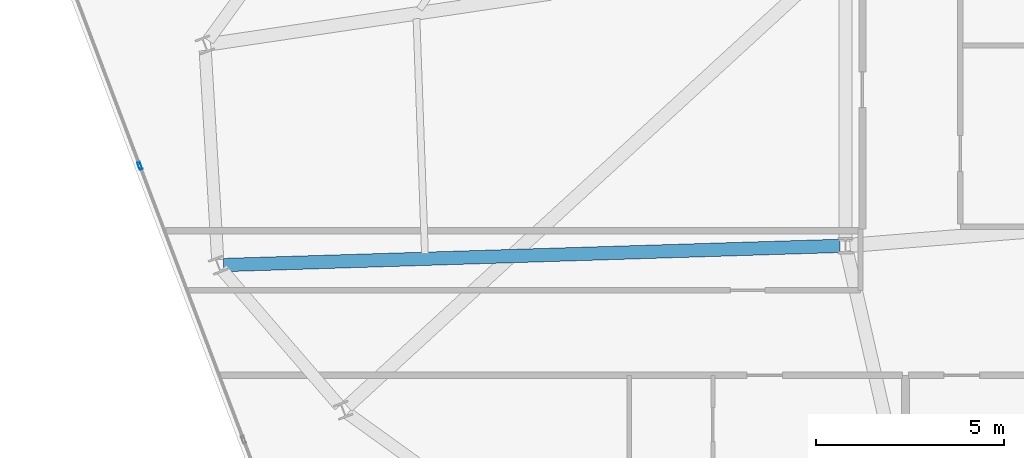
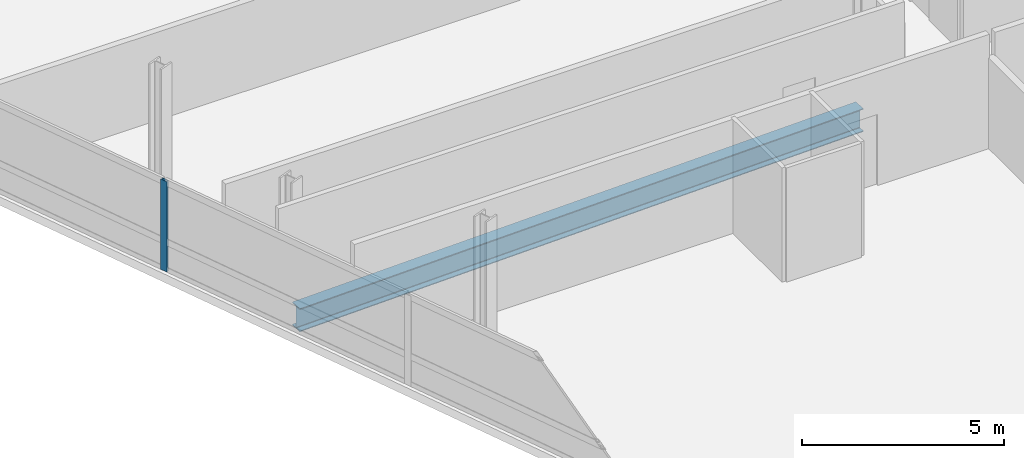
# One storey, part 6 of 19: 1 beam, 1 member, 1 element without a shape of its own.
"""IFC4 building model written with IfcOpenShell, lengths in metres."""

from ifc_helpers import new_model, si_unit, direction, frame, origin, origin_2d, place, context, subcontext, project, spatial, hollow_rectangle, i_section, extrude, material, layer, layer_set, material_profile, profile_set, type_object, element, aggregate, save


model = new_model("IFC4")

# Units and contexts
model_context = context("Model", 3, precision=1e-05, world=origin(), true_north=direction((0.0, 1.0)))
body_context = subcontext(model_context, "Body", "Model", "MODEL_VIEW")
ifc_project = project(units=[si_unit("LENGTHUNIT", "METRE"), si_unit("AREAUNIT", "SQUARE_METRE"), si_unit("VOLUMEUNIT", "CUBIC_METRE"), si_unit("PLANEANGLEUNIT", "RADIAN"), si_unit("MASSUNIT", "GRAM", prefix="KILO")], contexts=[model_context])

# Site, building, storey
site_placement = place(None, origin())
site = spatial("IfcSite", under=ifc_project, at=site_placement, CompositionType="ELEMENT")
building_placement = place(site_placement, origin())
building = spatial("IfcBuilding", under=site, at=building_placement, Name="Varnelok Gate Tower", CompositionType="ELEMENT")
storey_placement = place(building_placement, frame((0.0, 0.0, 246.0)))
storey = spatial("IfcBuildingStorey", under=building, at=storey_placement, Name="L63", CompositionType="ELEMENT", Elevation=246.0)

# Beam
ifc_material_1 = material(Name="Structural Steel ASTM A992 Grade 50", Category="steel")
ifc_material_profile_1 = material_profile(ifc_material_1, i_section(OverallWidth=0.35498046875, OverallDepth=0.696044921875, WebThickness=0.015380859375, FlangeThickness=0.02490234375, FilletRadius=0.02001953125, at=origin_2d()), Name="W27X146")
ifc_profile_set_1 = profile_set([ifc_material_profile_1], Name="Structural Steel ASTM A992 Grade 50")
beam_type = type_object("IfcBeamType", Name="BM-PRI-W27X146", PredefinedType="BEAM", material=ifc_profile_set_1)
beam_placement = place(storey_placement, frame((24.25, 18.79541015625, -0.597900390625), z_axis=(-0.999516665435, -0.031087546033, 0.0), x_axis=(0.031087546033, -0.999516665435, 0.0)))
element("IfcBeam", 1, at=beam_placement, inside=storey, type_object=beam_type, Name="L63 Radial Floor Girder 15", PredefinedType="BEAM", context=body_context, shape_type="SweptSolid", body=[
    extrude(i_section(OverallWidth=0.35498046875, OverallDepth=0.696044921875, WebThickness=0.015380859375, FlangeThickness=0.02490234375, FilletRadius=0.02001953125, at=origin_2d()), origin(), (0.0, 0.0, 1.0), 16.413330078125),
])

# Curtain wall, member
ifc_material_2 = material(Name="Anodized Aluminum Alloy 6063-T6", Category="aluminium")
ifc_layer = layer(ifc_material_2, 0.179931640625)
ifc_layer_set = layer_set([ifc_layer], Name="Anodized Aluminum Alloy 6063-T6")
curtain_wall_type = type_object("IfcCurtainWallType", Name="CW4-RESIDENCE-VISION", PredefinedType="USERDEFINED", material=ifc_layer_set)
curtain_wall_placement = place(storey_placement, origin())
curtain_wall = element("IfcCurtainWall", 2, at=curtain_wall_placement, inside=storey, type_object=curtain_wall_type, Name="L63 West End Vision Curtain Wall", ObjectType="UNITISED CURTAIN WALL", PredefinedType="USERDEFINED")
ifc_material_profile_2 = material_profile(ifc_material_2, hollow_rectangle(XDim=0.074951171875, YDim=0.199951171875, WallThickness=0.00390625, at=origin_2d()), Name="ALU200X75X4")
ifc_profile_set_2 = profile_set([ifc_material_profile_2], Name="Anodized Aluminum Alloy 6063-T6")
member_type = type_object("IfcMemberType", Name="CW-MULL-200", PredefinedType="MULLION", material=ifc_profile_set_2)
member_placement = place(storey_placement, frame((5.61328125, 20.9248046875, 0.0), z_axis=(0.0, 0.0, 1.0), x_axis=(-0.935221557832, -0.354063042079, 0.0)))
member = element("IfcMember", 3, at=member_placement, type_object=member_type, Name="CW4 mullion 4", PredefinedType="MULLION", context=body_context, shape_type="SweptSolid", body=[
    extrude(hollow_rectangle(XDim=0.074951171875, YDim=0.199951171875, WallThickness=0.00390625, at=origin_2d()), origin(), (0.0, 0.0, 1.0), 2.72998046875),
])
aggregate(curtain_wall, [member])

save(model, "model.ifc")
